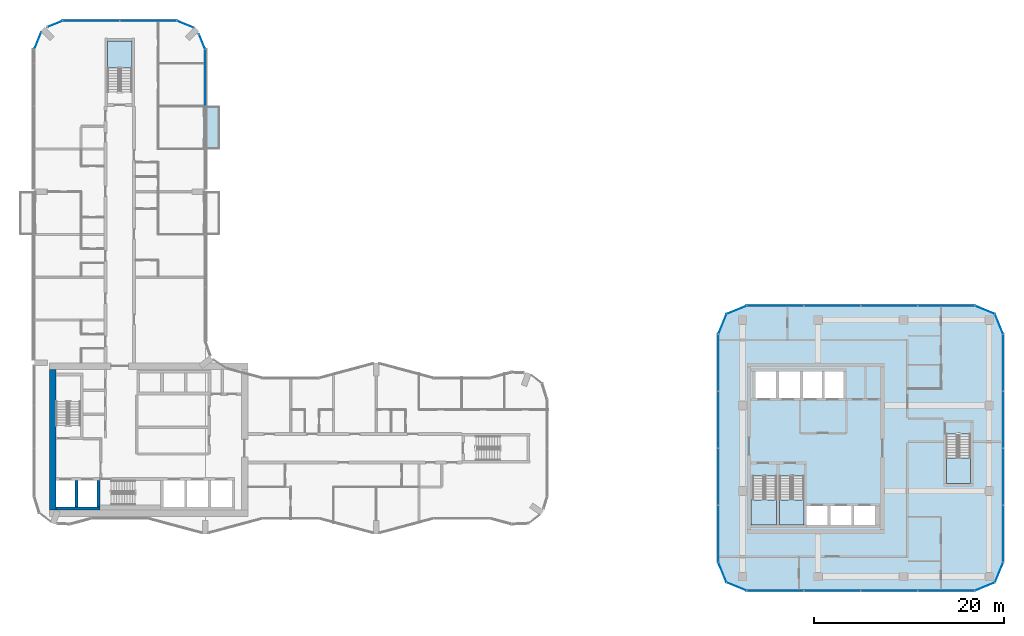
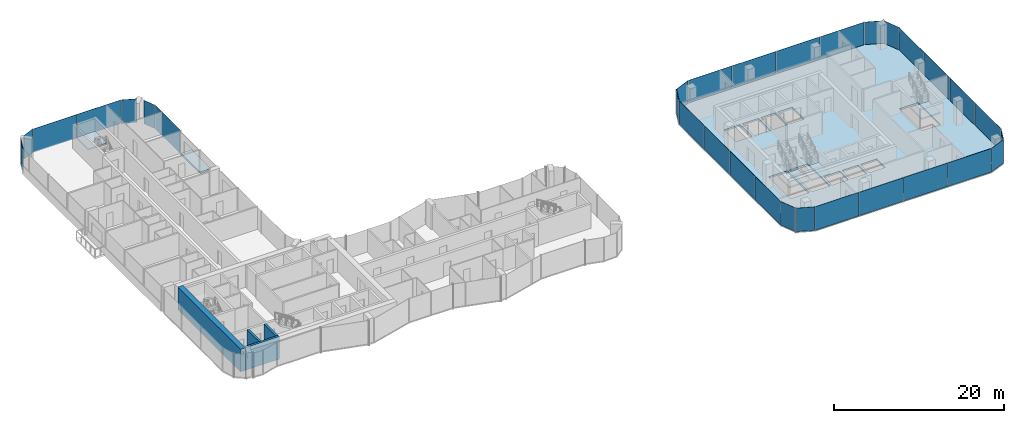
# One storey, part 12 of 22: 31 plates, 6 slabs, 4 walls, 22 elements without a shape of their own.
"""IFC4 building model written with IfcOpenShell, lengths in metres."""

from ifc_helpers import new_model, si_unit, direction, frame, frame_2d, origin, origin_2d, place, context, subcontext, project, spatial, polyline, rectangle, outline, extrude, material, layer, layer_set, type_object, element, aggregate, save


model = new_model("IFC4")

# Units and contexts
model_context = context("Model", 3, precision=1e-05, world=origin(), true_north=direction((0.0, 1.0)))
body_context = subcontext(model_context, "Body", "Model", "MODEL_VIEW")
ifc_project = project(units=[si_unit("LENGTHUNIT", "METRE"), si_unit("AREAUNIT", "SQUARE_METRE"), si_unit("VOLUMEUNIT", "CUBIC_METRE"), si_unit("PLANEANGLEUNIT", "RADIAN"), si_unit("MASSUNIT", "GRAM", prefix="KILO")], contexts=[model_context])

# Site, building, storey
site_placement = place(None, origin())
site = spatial("IfcSite", under=ifc_project, at=site_placement, CompositionType="ELEMENT")
building_placement = place(site_placement, origin())
building = spatial("IfcBuilding", under=site, at=building_placement, Name="Plateau Cross Towers", CompositionType="ELEMENT")
storey_placement = place(building_placement, frame((0.0, 0.0, 65.300048828125)))
storey = spatial("IfcBuildingStorey", under=building, at=storey_placement, Name="L16", CompositionType="ELEMENT", Elevation=65.300048828125)

# Slab
ifc_material_1 = material(Name="Concrete C40/50", Category="concrete")
ifc_layer_1 = layer(ifc_material_1, 0.25)
ifc_layer_set_1 = layer_set([ifc_layer_1], Name="Concrete C40/50")
slab_type_1 = type_object("IfcSlabType", Name="Balcony slab 250", PredefinedType="FLOOR", material=ifc_layer_set_1)
slab_1_placement = place(storey_placement, frame((0.0, 0.0, -0.25)))
element("IfcSlab", 1, at=slab_1_placement, inside=storey, type_object=slab_type_1, Name="Balcony slab A-BAL-L16-03", PredefinedType="FLOOR", context=body_context, shape_type="SweptSolid", body=[
    extrude(outline(polyline([(19.5, 40.5), (19.5, 45.0), (18.0, 45.0), (18.0, 40.5), (19.5, 40.5)])), origin(), (0.0, 0.0, 1.0), 0.25),
])

# Curtain wall, plates
ifc_material_2 = material(Name="Dark low-iron glass", Category="glass")
ifc_layer_2 = layer(ifc_material_2, 0.239990234375)
ifc_layer_set_2 = layer_set([ifc_layer_2], Name="Dark low-iron glass")
curtain_wall_type_1 = type_object("IfcCurtainWallType", Name="Curtain wall office unitised CW-F", PredefinedType="NOTDEFINED", material=ifc_layer_set_2)
curtain_wall_1_placement = place(storey_placement, origin())
curtain_wall_1 = element("IfcCurtainWall", 2, at=curtain_wall_1_placement, inside=storey, type_object=curtain_wall_type_1, Name="ENV/B/L16/B750_-60", PredefinedType="NOTDEFINED")
ifc_layer_3 = layer(ifc_material_2, 0.028076171875)
ifc_layer_set_3 = layer_set([ifc_layer_3], Name="Dark low-iron glass")
plate_type_1 = type_object("IfcPlateType", Name="Glass panel 28 office unitised", PredefinedType="CURTAIN_PANEL", material=ifc_layer_set_3)
plate_1_placement = place(storey_placement, frame((78.0, -6.0, -0.1298828125), z_axis=(0.0, 0.0, 1.0), x_axis=(1.0, 0.0, 0.0)))
plate_1 = element("IfcPlate", 3, at=plate_1_placement, type_object=plate_type_1, Name="CW-F panel 1", PredefinedType="CURTAIN_PANEL", context=body_context, shape_type="SweptSolid", body=[
    extrude(rectangle(XDim=5.93994140625, YDim=0.028076171875, at=origin_2d()), origin(), (0.0, 0.0, 1.0), 3.3798828125),
])
plate_2_placement = place(storey_placement, frame((84.0, -6.0, -0.1298828125), z_axis=(0.0, 0.0, 1.0), x_axis=(1.0, 0.0, 0.0)))
plate_2 = element("IfcPlate", 4, at=plate_2_placement, type_object=plate_type_1, Name="CW-F panel 2", PredefinedType="CURTAIN_PANEL", context=body_context, shape_type="SweptSolid", body=[
    extrude(rectangle(XDim=5.93994140625, YDim=0.028076171875, at=origin_2d()), origin(), (0.0, 0.0, 1.0), 3.3798828125),
])
plate_3_placement = place(storey_placement, frame((90.0, -6.0, -0.1298828125), z_axis=(0.0, 0.0, 1.0), x_axis=(1.0, 0.0, 0.0)))
plate_3 = element("IfcPlate", 5, at=plate_3_placement, type_object=plate_type_1, Name="CW-F panel 3", PredefinedType="CURTAIN_PANEL", context=body_context, shape_type="SweptSolid", body=[
    extrude(rectangle(XDim=5.93994140625, YDim=0.028076171875, at=origin_2d()), origin(), (0.0, 0.0, 1.0), 3.3798828125),
])
plate_4_placement = place(storey_placement, frame((96.0, -6.0, -0.1298828125), z_axis=(0.0, 0.0, 1.0), x_axis=(1.0, 0.0, 0.0)))
plate_4 = element("IfcPlate", 6, at=plate_4_placement, type_object=plate_type_1, Name="CW-F panel 4", PredefinedType="CURTAIN_PANEL", context=body_context, shape_type="SweptSolid", body=[
    extrude(rectangle(XDim=5.93994140625, YDim=0.028076171875, at=origin_2d()), origin(), (0.0, 0.0, 1.0), 3.3798828125),
])
aggregate(curtain_wall_1, [plate_1, plate_2, plate_3, plate_4])

# Curtain wall, plate
curtain_wall_2_placement = place(storey_placement, origin())
curtain_wall_2 = element("IfcCurtainWall", 7, at=curtain_wall_2_placement, inside=storey, type_object=curtain_wall_type_1, Name="ENV/B/L16/B990_-60", PredefinedType="NOTDEFINED")
plate_5_placement = place(storey_placement, frame((100.060546875, -5.560546875, -0.1298828125), z_axis=(0.0, 0.0, 1.0), x_axis=(0.923879457699, 0.382683612978, 0.0)))
plate_5 = element("IfcPlate", 8, at=plate_5_placement, type_object=plate_type_1, Name="CW-F panel 1", PredefinedType="CURTAIN_PANEL", context=body_context, shape_type="SweptSolid", body=[
    extrude(rectangle(XDim=2.236083984375, YDim=0.028076171875, at=origin_2d()), origin(), (0.0, 0.0, 1.0), 3.3798828125),
])
aggregate(curtain_wall_2, [plate_5])

curtain_wall_3_placement = place(storey_placement, origin())
curtain_wall_3 = element("IfcCurtainWall", 9, at=curtain_wall_3_placement, inside=storey, type_object=curtain_wall_type_1, Name="ENV/B/L16/B1011_-51", PredefinedType="NOTDEFINED")
plate_6_placement = place(storey_placement, frame((101.560546875, -4.060546875, -0.1298828125), z_axis=(0.0, 0.0, 1.0), x_axis=(0.382683612978, 0.923879457699, 0.0)))
plate_6 = element("IfcPlate", 10, at=plate_6_placement, type_object=plate_type_1, Name="CW-F panel 1", PredefinedType="CURTAIN_PANEL", context=body_context, shape_type="SweptSolid", body=[
    extrude(rectangle(XDim=2.236083984375, YDim=0.028076171875, at=origin_2d()), origin(), (0.0, 0.0, 1.0), 3.3798828125),
])
aggregate(curtain_wall_3, [plate_6])

# Curtain wall, plates
curtain_wall_4_placement = place(storey_placement, origin())
curtain_wall_4 = element("IfcCurtainWall", 11, at=curtain_wall_4_placement, inside=storey, type_object=curtain_wall_type_1, Name="ENV/B/L16/B1020_-30", PredefinedType="NOTDEFINED")
plate_7_placement = place(storey_placement, frame((102.0, 0.0, -0.1298828125), z_axis=(0.0, 0.0, 1.0), x_axis=(0.0, 1.0, 0.0)))
plate_7 = element("IfcPlate", 12, at=plate_7_placement, type_object=plate_type_1, Name="CW-F panel 1", PredefinedType="CURTAIN_PANEL", context=body_context, shape_type="SweptSolid", body=[
    extrude(rectangle(XDim=5.93994140625, YDim=0.028076171875, at=origin_2d()), origin(), (0.0, 0.0, 1.0), 3.3798828125),
])
plate_8_placement = place(storey_placement, frame((102.0, 6.0, -0.1298828125), z_axis=(0.0, 0.0, 1.0), x_axis=(0.0, 1.0, 0.0)))
plate_8 = element("IfcPlate", 13, at=plate_8_placement, type_object=plate_type_1, Name="CW-F panel 2", PredefinedType="CURTAIN_PANEL", context=body_context, shape_type="SweptSolid", body=[
    extrude(rectangle(XDim=5.93994140625, YDim=0.028076171875, at=origin_2d()), origin(), (0.0, 0.0, 1.0), 3.3798828125),
])
plate_9_placement = place(storey_placement, frame((102.0, 12.0, -0.1298828125), z_axis=(0.0, 0.0, 1.0), x_axis=(0.0, 1.0, 0.0)))
plate_9 = element("IfcPlate", 14, at=plate_9_placement, type_object=plate_type_1, Name="CW-F panel 3", PredefinedType="CURTAIN_PANEL", context=body_context, shape_type="SweptSolid", body=[
    extrude(rectangle(XDim=5.93994140625, YDim=0.028076171875, at=origin_2d()), origin(), (0.0, 0.0, 1.0), 3.3798828125),
])
plate_10_placement = place(storey_placement, frame((102.0, 18.0, -0.1298828125), z_axis=(0.0, 0.0, 1.0), x_axis=(0.0, 1.0, 0.0)))
plate_10 = element("IfcPlate", 15, at=plate_10_placement, type_object=plate_type_1, Name="CW-F panel 4", PredefinedType="CURTAIN_PANEL", context=body_context, shape_type="SweptSolid", body=[
    extrude(rectangle(XDim=5.93994140625, YDim=0.028076171875, at=origin_2d()), origin(), (0.0, 0.0, 1.0), 3.3798828125),
])
aggregate(curtain_wall_4, [plate_7, plate_8, plate_9, plate_10])

# Curtain wall, plate
curtain_wall_5_placement = place(storey_placement, origin())
curtain_wall_5 = element("IfcCurtainWall", 16, at=curtain_wall_5_placement, inside=storey, type_object=curtain_wall_type_1, Name="ENV/B/L16/B1020_210", PredefinedType="NOTDEFINED")
plate_11_placement = place(storey_placement, frame((101.560546875, 22.060546875, -0.1298828125), z_axis=(0.0, 0.0, 1.0), x_axis=(-0.382683612978, 0.923879457699, 0.0)))
plate_11 = element("IfcPlate", 17, at=plate_11_placement, type_object=plate_type_1, Name="CW-F panel 1", PredefinedType="CURTAIN_PANEL", context=body_context, shape_type="SweptSolid", body=[
    extrude(rectangle(XDim=2.236083984375, YDim=0.028076171875, at=origin_2d()), origin(), (0.0, 0.0, 1.0), 3.3798828125),
])
aggregate(curtain_wall_5, [plate_11])

curtain_wall_6_placement = place(storey_placement, origin())
curtain_wall_6 = element("IfcCurtainWall", 18, at=curtain_wall_6_placement, inside=storey, type_object=curtain_wall_type_1, Name="ENV/B/L16/B1011_231", PredefinedType="NOTDEFINED")
plate_12_placement = place(storey_placement, frame((100.060546875, 23.560546875, -0.1298828125), z_axis=(0.0, 0.0, 1.0), x_axis=(-0.923879457699, 0.382683612978, 0.0)))
plate_12 = element("IfcPlate", 19, at=plate_12_placement, type_object=plate_type_1, Name="CW-F panel 1", PredefinedType="CURTAIN_PANEL", context=body_context, shape_type="SweptSolid", body=[
    extrude(rectangle(XDim=2.236083984375, YDim=0.028076171875, at=origin_2d()), origin(), (0.0, 0.0, 1.0), 3.3798828125),
])
aggregate(curtain_wall_6, [plate_12])

# Curtain wall, plates
curtain_wall_7_placement = place(storey_placement, origin())
curtain_wall_7 = element("IfcCurtainWall", 20, at=curtain_wall_7_placement, inside=storey, type_object=curtain_wall_type_1, Name="ENV/B/L16/B990_240", PredefinedType="NOTDEFINED")
plate_13_placement = place(storey_placement, frame((96.0, 24.0, -0.1298828125), z_axis=(0.0, 0.0, 1.0), x_axis=(-1.0, 0.0, 0.0)))
plate_13 = element("IfcPlate", 21, at=plate_13_placement, type_object=plate_type_1, Name="CW-F panel 1", PredefinedType="CURTAIN_PANEL", context=body_context, shape_type="SweptSolid", body=[
    extrude(rectangle(XDim=5.93994140625, YDim=0.028076171875, at=origin_2d()), origin(), (0.0, 0.0, 1.0), 3.3798828125),
])
plate_14_placement = place(storey_placement, frame((90.0, 24.0, -0.1298828125), z_axis=(0.0, 0.0, 1.0), x_axis=(-1.0, 0.0, 0.0)))
plate_14 = element("IfcPlate", 22, at=plate_14_placement, type_object=plate_type_1, Name="CW-F panel 2", PredefinedType="CURTAIN_PANEL", context=body_context, shape_type="SweptSolid", body=[
    extrude(rectangle(XDim=5.93994140625, YDim=0.028076171875, at=origin_2d()), origin(), (0.0, 0.0, 1.0), 3.3798828125),
])
plate_15_placement = place(storey_placement, frame((84.0, 24.0, -0.1298828125), z_axis=(0.0, 0.0, 1.0), x_axis=(-1.0, 0.0, 0.0)))
plate_15 = element("IfcPlate", 23, at=plate_15_placement, type_object=plate_type_1, Name="CW-F panel 3", PredefinedType="CURTAIN_PANEL", context=body_context, shape_type="SweptSolid", body=[
    extrude(rectangle(XDim=5.93994140625, YDim=0.028076171875, at=origin_2d()), origin(), (0.0, 0.0, 1.0), 3.3798828125),
])
plate_16_placement = place(storey_placement, frame((78.0, 24.0, -0.1298828125), z_axis=(0.0, 0.0, 1.0), x_axis=(-1.0, 0.0, 0.0)))
plate_16 = element("IfcPlate", 24, at=plate_16_placement, type_object=plate_type_1, Name="CW-F panel 4", PredefinedType="CURTAIN_PANEL", context=body_context, shape_type="SweptSolid", body=[
    extrude(rectangle(XDim=5.93994140625, YDim=0.028076171875, at=origin_2d()), origin(), (0.0, 0.0, 1.0), 3.3798828125),
])
aggregate(curtain_wall_7, [plate_13, plate_14, plate_15, plate_16])

# Curtain wall, plate
curtain_wall_8_placement = place(storey_placement, origin())
curtain_wall_8 = element("IfcCurtainWall", 25, at=curtain_wall_8_placement, inside=storey, type_object=curtain_wall_type_1, Name="ENV/B/L16/B750_240", PredefinedType="NOTDEFINED")
plate_17_placement = place(storey_placement, frame((73.939453125, 23.560546875, -0.1298828125), z_axis=(0.0, 0.0, 1.0), x_axis=(-0.923879457699, -0.382683612978, 0.0)))
plate_17 = element("IfcPlate", 26, at=plate_17_placement, type_object=plate_type_1, Name="CW-F panel 1", PredefinedType="CURTAIN_PANEL", context=body_context, shape_type="SweptSolid", body=[
    extrude(rectangle(XDim=2.236083984375, YDim=0.028076171875, at=origin_2d()), origin(), (0.0, 0.0, 1.0), 3.3798828125),
])
aggregate(curtain_wall_8, [plate_17])

curtain_wall_9_placement = place(storey_placement, origin())
curtain_wall_9 = element("IfcCurtainWall", 27, at=curtain_wall_9_placement, inside=storey, type_object=curtain_wall_type_1, Name="ENV/B/L16/B729_231", PredefinedType="NOTDEFINED")
plate_18_placement = place(storey_placement, frame((72.439453125, 22.060546875, -0.1298828125), z_axis=(0.0, 0.0, 1.0), x_axis=(-0.382683612978, -0.923879457699, 0.0)))
plate_18 = element("IfcPlate", 28, at=plate_18_placement, type_object=plate_type_1, Name="CW-F panel 1", PredefinedType="CURTAIN_PANEL", context=body_context, shape_type="SweptSolid", body=[
    extrude(rectangle(XDim=2.236083984375, YDim=0.028076171875, at=origin_2d()), origin(), (0.0, 0.0, 1.0), 3.3798828125),
])
aggregate(curtain_wall_9, [plate_18])

# Curtain wall, plates
curtain_wall_10_placement = place(storey_placement, origin())
curtain_wall_10 = element("IfcCurtainWall", 29, at=curtain_wall_10_placement, inside=storey, type_object=curtain_wall_type_1, Name="ENV/B/L16/B720_210", PredefinedType="NOTDEFINED")
plate_19_placement = place(storey_placement, frame((72.0, 18.0, -0.1298828125), z_axis=(0.0, 0.0, 1.0), x_axis=(0.0, -1.0, 0.0)))
plate_19 = element("IfcPlate", 30, at=plate_19_placement, type_object=plate_type_1, Name="CW-F panel 1", PredefinedType="CURTAIN_PANEL", context=body_context, shape_type="SweptSolid", body=[
    extrude(rectangle(XDim=5.93994140625, YDim=0.028076171875, at=origin_2d()), origin(), (0.0, 0.0, 1.0), 3.3798828125),
])
plate_20_placement = place(storey_placement, frame((72.0, 12.0, -0.1298828125), z_axis=(0.0, 0.0, 1.0), x_axis=(0.0, -1.0, 0.0)))
plate_20 = element("IfcPlate", 31, at=plate_20_placement, type_object=plate_type_1, Name="CW-F panel 2", PredefinedType="CURTAIN_PANEL", context=body_context, shape_type="SweptSolid", body=[
    extrude(rectangle(XDim=5.93994140625, YDim=0.028076171875, at=origin_2d()), origin(), (0.0, 0.0, 1.0), 3.3798828125),
])
plate_21_placement = place(storey_placement, frame((72.0, 6.0, -0.1298828125), z_axis=(0.0, 0.0, 1.0), x_axis=(0.0, -1.0, 0.0)))
plate_21 = element("IfcPlate", 32, at=plate_21_placement, type_object=plate_type_1, Name="CW-F panel 3", PredefinedType="CURTAIN_PANEL", context=body_context, shape_type="SweptSolid", body=[
    extrude(rectangle(XDim=5.93994140625, YDim=0.028076171875, at=origin_2d()), origin(), (0.0, 0.0, 1.0), 3.3798828125),
])
plate_22_placement = place(storey_placement, frame((72.0, 0.0, -0.1298828125), z_axis=(0.0, 0.0, 1.0), x_axis=(0.0, -1.0, 0.0)))
plate_22 = element("IfcPlate", 33, at=plate_22_placement, type_object=plate_type_1, Name="CW-F panel 4", PredefinedType="CURTAIN_PANEL", context=body_context, shape_type="SweptSolid", body=[
    extrude(rectangle(XDim=5.93994140625, YDim=0.028076171875, at=origin_2d()), origin(), (0.0, 0.0, 1.0), 3.3798828125),
])
aggregate(curtain_wall_10, [plate_19, plate_20, plate_21, plate_22])

# Curtain wall, plate
curtain_wall_11_placement = place(storey_placement, origin())
curtain_wall_11 = element("IfcCurtainWall", 34, at=curtain_wall_11_placement, inside=storey, type_object=curtain_wall_type_1, Name="ENV/B/L16/B720_-30", PredefinedType="NOTDEFINED")
plate_23_placement = place(storey_placement, frame((72.439453125, -4.060546875, -0.1298828125), z_axis=(0.0, 0.0, 1.0), x_axis=(0.382683612978, -0.923879457699, 0.0)))
plate_23 = element("IfcPlate", 35, at=plate_23_placement, type_object=plate_type_1, Name="CW-F panel 1", PredefinedType="CURTAIN_PANEL", context=body_context, shape_type="SweptSolid", body=[
    extrude(rectangle(XDim=2.236083984375, YDim=0.028076171875, at=origin_2d()), origin(), (0.0, 0.0, 1.0), 3.3798828125),
])
aggregate(curtain_wall_11, [plate_23])

curtain_wall_12_placement = place(storey_placement, origin())
curtain_wall_12 = element("IfcCurtainWall", 36, at=curtain_wall_12_placement, inside=storey, type_object=curtain_wall_type_1, Name="ENV/B/L16/B729_-51", PredefinedType="NOTDEFINED")
plate_24_placement = place(storey_placement, frame((73.939453125, -5.560546875, -0.1298828125), z_axis=(0.0, 0.0, 1.0), x_axis=(0.923879457699, -0.382683612978, 0.0)))
plate_24 = element("IfcPlate", 37, at=plate_24_placement, type_object=plate_type_1, Name="CW-F panel 1", PredefinedType="CURTAIN_PANEL", context=body_context, shape_type="SweptSolid", body=[
    extrude(rectangle(XDim=2.236083984375, YDim=0.028076171875, at=origin_2d()), origin(), (0.0, 0.0, 1.0), 3.3798828125),
])
aggregate(curtain_wall_12, [plate_24])

ifc_layer_4 = layer(ifc_material_2, 0.239990234375)
ifc_layer_set_4 = layer_set([ifc_layer_4], Name="Dark low-iron glass")
curtain_wall_type_2 = type_object("IfcCurtainWallType", Name="Curtain wall flush unitised CW-B", PredefinedType="NOTDEFINED", material=ifc_layer_set_4)
curtain_wall_13_placement = place(storey_placement, origin())
curtain_wall_13 = element("IfcCurtainWall", 38, at=curtain_wall_13_placement, inside=storey, type_object=curtain_wall_type_2, Name="ENV/A/L16/A180_450", PredefinedType="NOTDEFINED")
ifc_layer_5 = layer(ifc_material_2, 0.031982421875)
ifc_layer_set_5 = layer_set([ifc_layer_5], Name="Dark low-iron glass")
plate_type_2 = type_object("IfcPlateType", Name="Glass panel 32 flush unitised", PredefinedType="CURTAIN_PANEL", material=ifc_layer_set_5)
plate_25_placement = place(storey_placement, frame((18.0, 48.0048828125, -0.1298828125), z_axis=(0.0, 0.0, 1.0), x_axis=(0.0, 1.0, 0.0)))
plate_25 = element("IfcPlate", 39, at=plate_25_placement, type_object=plate_type_2, Name="CW-B panel 1", PredefinedType="CURTAIN_PANEL", context=body_context, shape_type="SweptSolid", body=[
    extrude(rectangle(XDim=5.929931640625, YDim=0.031982421875, at=origin_2d()), origin(), (0.0, 0.0, 1.0), 3.3798828125),
])
aggregate(curtain_wall_13, [plate_25])

curtain_wall_14_placement = place(storey_placement, origin())
curtain_wall_14 = element("IfcCurtainWall", 40, at=curtain_wall_14_placement, inside=storey, type_object=curtain_wall_type_2, Name="ENV/A/L16/A180_510", PredefinedType="NOTDEFINED")
plate_26_placement = place(storey_placement, frame((17.66943359375, 51.79833984375, -0.1298828125), z_axis=(0.0, 0.0, 1.0), x_axis=(-0.382683612978, 0.923879457699, 0.0)))
plate_26 = element("IfcPlate", 41, at=plate_26_placement, type_object=plate_type_2, Name="CW-B panel 1", PredefinedType="CURTAIN_PANEL", context=body_context, shape_type="SweptSolid", body=[
    extrude(rectangle(XDim=1.668212890625, YDim=0.031982421875, at=origin_2d()), origin(), (0.0, 0.0, 1.0), 3.3798828125),
])
aggregate(curtain_wall_14, [plate_26])

curtain_wall_15_placement = place(storey_placement, origin())
curtain_wall_15 = element("IfcCurtainWall", 42, at=curtain_wall_15_placement, inside=storey, type_object=curtain_wall_type_2, Name="ENV/A/L16/A168_533", PredefinedType="NOTDEFINED")
plate_27_placement = place(storey_placement, frame((15.90283203125, 53.6259765625, -0.1298828125), z_axis=(0.0, 0.0, 1.0), x_axis=(-0.923879457699, 0.382683612978, 0.0)))
plate_27 = element("IfcPlate", 43, at=plate_27_placement, type_object=plate_type_2, Name="CW-B panel 1", PredefinedType="CURTAIN_PANEL", context=body_context, shape_type="SweptSolid", body=[
    extrude(rectangle(XDim=1.894775390625, YDim=0.031982421875, at=origin_2d()), origin(), (0.0, 0.0, 1.0), 3.3798828125),
])
aggregate(curtain_wall_15, [plate_27])

# Curtain wall, plates
curtain_wall_16_placement = place(storey_placement, origin())
curtain_wall_16 = element("IfcCurtainWall", 44, at=curtain_wall_16_placement, inside=storey, type_object=curtain_wall_type_2, Name="ENV/A/L16/A150_540", PredefinedType="NOTDEFINED")
plate_28_placement = place(storey_placement, frame((12.0, 54.0, -0.1298828125), z_axis=(0.0, 0.0, 1.0), x_axis=(-1.0, 0.0, 0.0)))
plate_28 = element("IfcPlate", 45, at=plate_28_placement, type_object=plate_type_2, Name="CW-B panel 1", PredefinedType="CURTAIN_PANEL", context=body_context, shape_type="SweptSolid", body=[
    extrude(rectangle(XDim=5.93994140625, YDim=0.031982421875, at=origin_2d()), origin(), (0.0, 0.0, 1.0), 3.3798828125),
])
plate_29_placement = place(storey_placement, frame((6.0, 54.0, -0.1298828125), z_axis=(0.0, 0.0, 1.0), x_axis=(-1.0, 0.0, 0.0)))
plate_29 = element("IfcPlate", 46, at=plate_29_placement, type_object=plate_type_2, Name="CW-B panel 2", PredefinedType="CURTAIN_PANEL", context=body_context, shape_type="SweptSolid", body=[
    extrude(rectangle(XDim=5.93994140625, YDim=0.031982421875, at=origin_2d()), origin(), (0.0, 0.0, 1.0), 3.3798828125),
])
aggregate(curtain_wall_16, [plate_28, plate_29])

# Curtain wall, plate
curtain_wall_17_placement = place(storey_placement, origin())
curtain_wall_17 = element("IfcCurtainWall", 47, at=curtain_wall_17_placement, inside=storey, type_object=curtain_wall_type_2, Name="ENV/A/L16/A30_540", PredefinedType="NOTDEFINED")
plate_30_placement = place(storey_placement, frame((2.20166015625, 53.66943359375, -0.1298828125), z_axis=(0.0, 0.0, 1.0), x_axis=(-0.923879457699, -0.382683612978, 0.0)))
plate_30 = element("IfcPlate", 48, at=plate_30_placement, type_object=plate_type_2, Name="CW-B panel 1", PredefinedType="CURTAIN_PANEL", context=body_context, shape_type="SweptSolid", body=[
    extrude(rectangle(XDim=1.668212890625, YDim=0.031982421875, at=origin_2d()), origin(), (0.0, 0.0, 1.0), 3.3798828125),
])
aggregate(curtain_wall_17, [plate_30])

curtain_wall_18_placement = place(storey_placement, origin())
curtain_wall_18 = element("IfcCurtainWall", 49, at=curtain_wall_18_placement, inside=storey, type_object=curtain_wall_type_2, Name="ENV/A/L16/A7_528", PredefinedType="NOTDEFINED")
plate_31_placement = place(storey_placement, frame((0.3740234375, 51.90283203125, -0.1298828125), z_axis=(0.0, 0.0, 1.0), x_axis=(-0.382683612978, -0.923879457699, 0.0)))
plate_31 = element("IfcPlate", 50, at=plate_31_placement, type_object=plate_type_2, Name="CW-B panel 1", PredefinedType="CURTAIN_PANEL", context=body_context, shape_type="SweptSolid", body=[
    extrude(rectangle(XDim=1.894775390625, YDim=0.031982421875, at=origin_2d()), origin(), (0.0, 0.0, 1.0), 3.3798828125),
])
aggregate(curtain_wall_18, [plate_31])

# Slab
ifc_layer_6 = layer(ifc_material_1, 0.25)
ifc_layer_set_6 = layer_set([ifc_layer_6], Name="Concrete C40/50")
slab_type_2 = type_object("IfcSlabType", Name="Post-tensioned flat plate slab 250", PredefinedType="FLOOR", material=ifc_layer_set_6)
slab_2_placement = place(storey_placement, frame((0.0, 0.0, -0.25)))
element("IfcSlab", 51, at=slab_2_placement, inside=storey, type_object=slab_type_2, Name="SL-B-L16", PredefinedType="FLOOR", context=body_context, shape_type="SweptSolid", body=[
    extrude(outline(polyline([(72.878662109375, -5.121337890625), (72.0, -3.0), (72.0, 21.0), (72.878662109375, 23.121337890625), (75.0, 24.0), (99.0, 24.0), (101.121337890625, 23.121337890625), (102.0, 21.0), (102.0, -3.0), (101.121337890625, -5.121337890625), (99.0, -6.0), (75.0, -6.0), (72.878662109375, -5.121337890625)]), holes=[polyline([(75.60009765625, 0.89990234375), (78.14990234375, 0.89990234375), (78.14990234375, 6.10009765625), (75.60009765625, 6.10009765625), (75.60009765625, 0.89990234375)]), polyline([(78.10009765625, 14.300048828125), (78.10009765625, 17.10009765625), (75.89990234375, 17.10009765625), (75.89990234375, 14.300048828125), (78.10009765625, 14.300048828125)]), polyline([(83.5, 0.89990234375), (83.5, 2.89990234375), (81.300048828125, 2.89990234375), (81.300048828125, 0.89990234375), (83.5, 0.89990234375)]), polyline([(86.0, 0.89990234375), (86.0, 2.89990234375), (83.800048828125, 2.89990234375), (83.800048828125, 0.89990234375), (86.0, 0.89990234375)]), polyline([(88.5, 0.89990234375), (88.5, 2.89990234375), (86.300048828125, 2.89990234375), (86.300048828125, 0.89990234375), (88.5, 0.89990234375)]), polyline([(78.449951171875, 0.89990234375), (81.0, 0.89990234375), (81.0, 6.10009765625), (78.449951171875, 6.10009765625), (78.449951171875, 0.89990234375)]), polyline([(96.0, 5.300048828125), (98.550048828125, 5.300048828125), (98.550048828125, 10.5), (96.0, 10.5), (96.0, 5.300048828125)]), polyline([(80.60009765625, 14.300048828125), (80.60009765625, 17.10009765625), (78.39990234375, 17.10009765625), (78.39990234375, 14.300048828125), (80.60009765625, 14.300048828125)]), polyline([(80.89990234375, 14.300048828125), (82.89990234375, 14.300048828125), (82.89990234375, 17.10009765625), (80.89990234375, 17.10009765625), (80.89990234375, 14.300048828125)]), polyline([(83.199951171875, 14.300048828125), (85.199951171875, 14.300048828125), (85.199951171875, 17.10009765625), (83.199951171875, 17.10009765625), (83.199951171875, 14.300048828125)])]), origin(), (0.0, 0.0, 1.0), 0.25),
])

# Stair, slab
stair_type = type_object("IfcStairType", Name="ST-TWR", PredefinedType="HALF_TURN_STAIR", material=ifc_material_1)
stair_1_placement = place(storey_placement, origin())
stair_1 = element("IfcStair", 52, at=stair_1_placement, inside=storey, type_object=stair_type, Name="L16 Protected Exit Stair SB-1", PredefinedType="HALF_TURN_STAIR")
ifc_layer_7 = layer(ifc_material_1, 0.199951171875)
ifc_layer_set_7 = layer_set([ifc_layer_7], Name="Concrete C40/50")
slab_type_3 = type_object("IfcSlabType", Name="SL-LANDING", PredefinedType="LANDING", material=ifc_layer_set_7)
slab_3_placement = place(storey_placement, frame((0.0, 0.0, 1.550048828125)))
slab_3 = element("IfcSlab", 53, at=slab_3_placement, type_object=slab_type_3, Name="SB-1 landing 1", PredefinedType="LANDING", context=body_context, shape_type="SweptSolid", body=[
    extrude(outline(polyline([(75.449951171875, 3.580078125), (75.449951171875, 0.89990234375), (78.14990234375, 0.89990234375), (78.14990234375, 3.580078125), (75.449951171875, 3.580078125)])), origin(), (0.0, 0.0, 1.0), 0.199951171875),
])
aggregate(stair_1, [slab_3])

stair_2_placement = place(storey_placement, origin())
stair_2 = element("IfcStair", 54, at=stair_2_placement, inside=storey, type_object=stair_type, Name="L16 Protected Exit Stair SB-2", PredefinedType="HALF_TURN_STAIR")
slab_4_placement = place(storey_placement, frame((0.0, 0.0, 1.550048828125)))
slab_4 = element("IfcSlab", 55, at=slab_4_placement, type_object=slab_type_3, Name="SB-2 landing 1", PredefinedType="LANDING", context=body_context, shape_type="SweptSolid", body=[
    extrude(outline(polyline([(78.449951171875, 3.580078125), (78.449951171875, 0.89990234375), (81.0, 0.89990234375), (81.0, 3.580078125), (78.449951171875, 3.580078125)])), origin(), (0.0, 0.0, 1.0), 0.199951171875),
])
aggregate(stair_2, [slab_4])

stair_3_placement = place(storey_placement, origin())
stair_3 = element("IfcStair", 56, at=stair_3_placement, inside=storey, type_object=stair_type, Name="L16 Protected Exit Stair SB-3", PredefinedType="HALF_TURN_STAIR")
slab_5_placement = place(storey_placement, frame((0.0, 0.0, 1.550048828125)))
slab_5 = element("IfcSlab", 57, at=slab_5_placement, type_object=slab_type_3, Name="SB-3 landing 1", PredefinedType="LANDING", context=body_context, shape_type="SweptSolid", body=[
    extrude(outline(polyline([(96.0, 7.97998046875), (96.0, 5.300048828125), (98.550048828125, 5.300048828125), (98.550048828125, 7.97998046875), (96.0, 7.97998046875)])), origin(), (0.0, 0.0, 1.0), 0.199951171875),
])
aggregate(stair_3, [slab_5])

stair_4_placement = place(storey_placement, origin())
stair_4 = element("IfcStair", 58, at=stair_4_placement, inside=storey, type_object=stair_type, Name="L16 Protected Exit Stair N", PredefinedType="HALF_TURN_STAIR")
slab_6_placement = place(storey_placement, frame((0.0, 0.0, 1.550048828125)))
slab_6 = element("IfcSlab", 59, at=slab_6_placement, type_object=slab_type_3, Name="ES-N landing 1", PredefinedType="LANDING", context=body_context, shape_type="SweptSolid", body=[
    extrude(outline(polyline([(10.27490234375, 49.02001953125), (10.27490234375, 51.85009765625), (7.72509765625, 51.85009765625), (7.72509765625, 49.02001953125), (10.27490234375, 49.02001953125)])), origin(), (0.0, 0.0, 1.0), 0.199951171875),
])
aggregate(stair_4, [slab_6])

# Walls
ifc_material_3 = material(Name="Concrete C60/75", Category="concrete")
ifc_layer_8 = layer(ifc_material_3, 0.300048828125)
ifc_layer_set_8 = layer_set([ifc_layer_8], Name="Concrete C60/75")
wall_type_1 = type_object("IfcWallType", Name="Core shaft wall 300", PredefinedType="SHEAR", material=ifc_layer_set_8)
wall_1_placement = place(storey_placement, frame((2.300048828125, 2.64990234375, 0.0), z_axis=(0.0, 0.0, 1.0), x_axis=(1.0, 0.0, 0.0)))
element("IfcWall", 60, at=wall_1_placement, inside=storey, type_object=wall_type_1, Name="A-sb-back1@L16", PredefinedType="SHEAR", context=body_context, shape_type="SweptSolid", body=[
    extrude(rectangle(XDim=4.599853515625, YDim=0.300048828125, at=frame_2d((2.2998046875, 0.0))), origin(), (0.0, 0.0, 1.0), 3.25),
])
for number, where, z_axis, x_axis, name in (
    (61, (4.449951171875, 2.800048828125, 0.0), (0.0, 0.0, 1.0), (0.0, 1.0, 0.0), "A-sb-v1@L16"),
    (62, (6.75, 2.800048828125, 0.0), (0.0, 0.0, 1.0), (0.0, 1.0, 0.0), "A-sb-v2@L16"),
):
    element("IfcWall", number, at=place(storey_placement, frame(where, z_axis=z_axis, x_axis=x_axis)), inside=storey, type_object=wall_type_1, Name=name, PredefinedType="SHEAR", context=body_context, shape_type="SweptSolid", body=[
        extrude(rectangle(XDim=2.800048828125, YDim=0.300048828125, at=frame_2d((1.39990234375, 0.0))), origin(), (0.0, 0.0, 1.0), 3.25),
    ])
ifc_layer_9 = layer(ifc_material_3, 0.699951171875)
ifc_layer_set_9 = layer_set([ifc_layer_9], Name="Concrete C60/75")
wall_type_2 = type_object("IfcWallType", Name="Core shell wall 700", PredefinedType="SHEAR", material=ifc_layer_set_9)
wall_2_placement = place(storey_placement, frame((1.949951171875, 2.5, 0.0), z_axis=(0.0, 0.0, 1.0), x_axis=(0.0, 1.0, 0.0)))
element("IfcWall", 63, at=wall_2_placement, inside=storey, type_object=wall_type_2, Name="A-core-W@L16", PredefinedType="SHEAR", context=body_context, shape_type="SweptSolid", body=[
    extrude(rectangle(XDim=14.800048828125, YDim=0.699951171875, at=frame_2d((7.39990234375, 0.0))), origin(), (0.0, 0.0, 1.0), 3.25),
])

save(model, "model.ifc")
